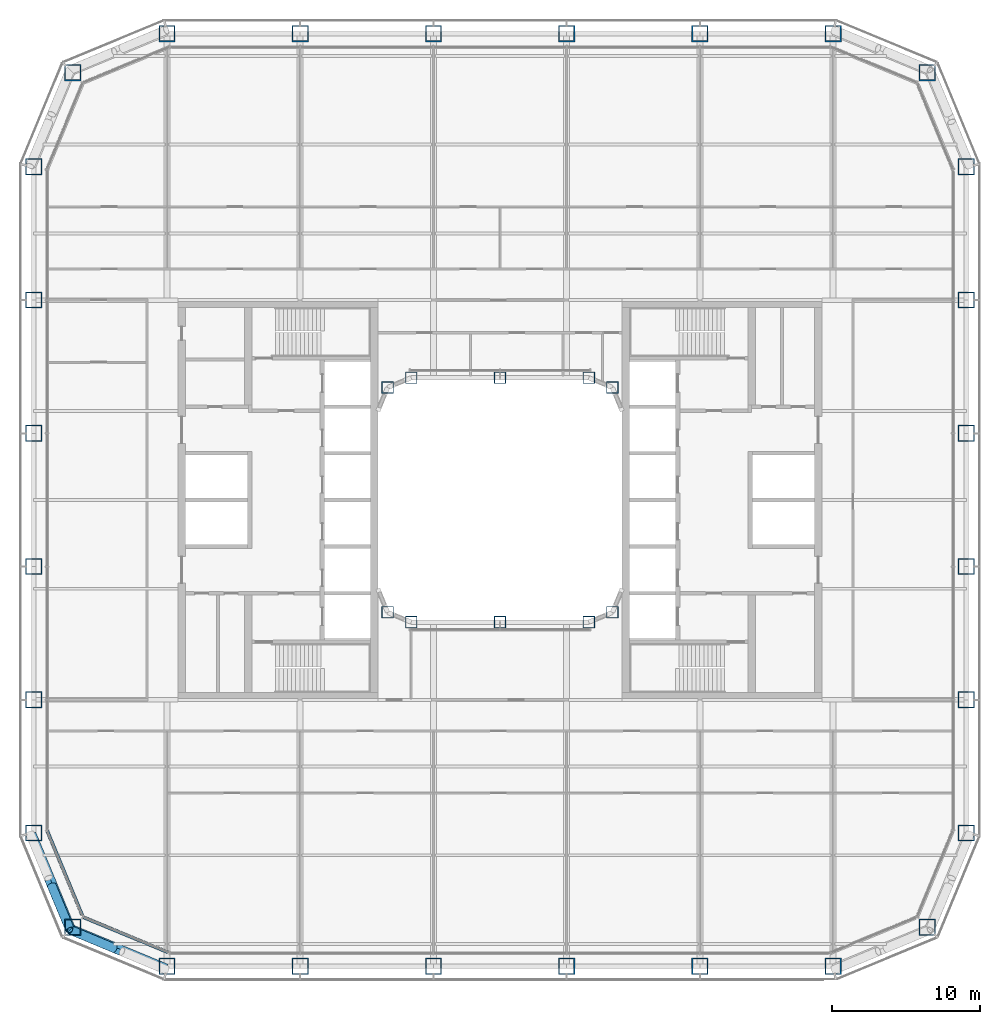
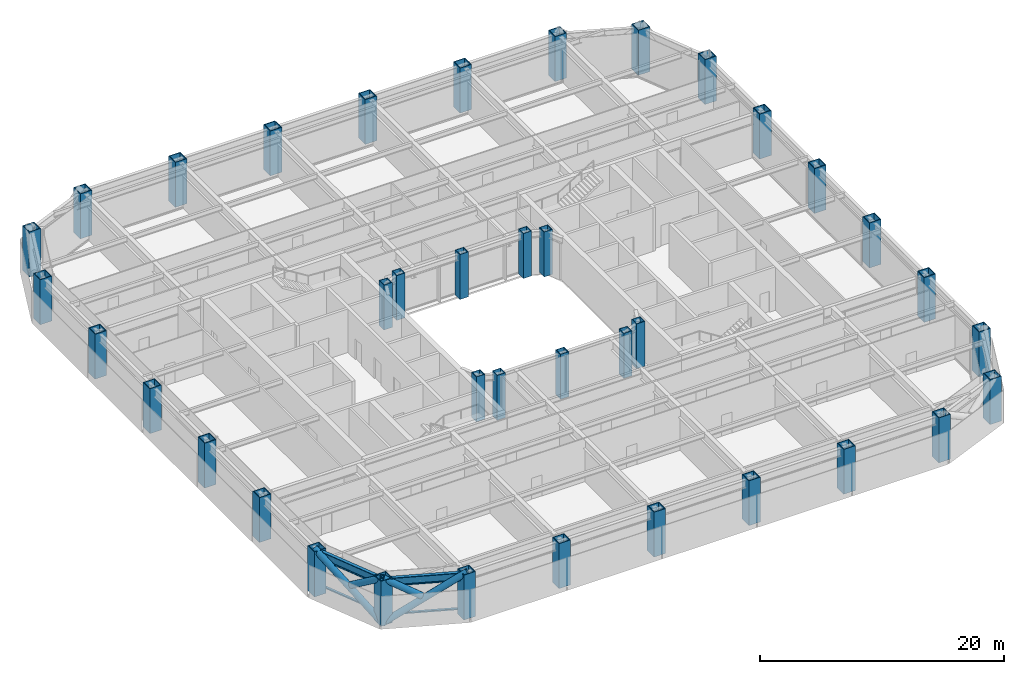
# One storey, part 1 of 24: 38 columns, 6 members, 2 beams, 2 elements without a shape of their own.
"""IFC4 building model written with IfcOpenShell, lengths in metres."""

from ifc_helpers import new_model, si_unit, direction, frame, origin, origin_2d, place, context, subcontext, project, spatial, rectangle, hollow_rectangle, hollow_circle, i_section, extrude, material, layer, layer_set, material_profile, profile_set, type_object, element, aggregate, save


model = new_model("IFC4")

# Units and contexts
model_context = context("Model", 3, precision=1e-05, world=origin(), true_north=direction((0.0, 1.0)))
body_context = subcontext(model_context, "Body", "Model", "MODEL_VIEW")
ifc_project = project(units=[si_unit("LENGTHUNIT", "METRE"), si_unit("AREAUNIT", "SQUARE_METRE"), si_unit("VOLUMEUNIT", "CUBIC_METRE"), si_unit("PLANEANGLEUNIT", "RADIAN"), si_unit("MASSUNIT", "GRAM", prefix="KILO")], contexts=[model_context])

# Site, building, storey
site_placement = place(None, origin())
site = spatial("IfcSite", under=ifc_project, at=site_placement, CompositionType="ELEMENT")
building_placement = place(site_placement, origin())
building = spatial("IfcBuilding", under=site, at=building_placement, Name="Siwar Civic Tower", CompositionType="ELEMENT")
storey_placement = place(building_placement, frame((0.0, 0.0, 22.199951171875)))
storey = spatial("IfcBuildingStorey", under=building, at=storey_placement, Name="L04", CompositionType="ELEMENT", Elevation=22.199951171875)

# Columns
ifc_material_1 = material(Name="Steel S460", Category="steel")
ifc_material_profile_1 = material_profile(ifc_material_1, hollow_rectangle(XDim=1.10009765625, YDim=1.10009765625, WallThickness=0.070068359375, at=origin_2d()), Name="BOX1100x1100x70")
ifc_profile_set_1 = profile_set([ifc_material_profile_1], Name="Steel S460")
column_type_1 = type_object("IfcColumnType", Name="STR-COL-BOX1100x1100x70", PredefinedType="COLUMN", material=ifc_profile_set_1)
for number, where, z_axis, x_axis, name in (
    (1, (-22.5, -31.5, 0.0), (0.0, 0.0, 1.0), (1.0, 0.0, 0.0), "L04/col/S-0"),
    (2, (-13.5, -31.5, 0.0), (0.0, 0.0, 1.0), (1.0, 0.0, 0.0), "L04/col/S-1"),
    (3, (-4.5, -31.5, 0.0), (0.0, 0.0, 1.0), (1.0, 0.0, 0.0), "L04/col/S-2"),
    (4, (4.5, -31.5, 0.0), (0.0, 0.0, 1.0), (1.0, 0.0, 0.0), "L04/col/S-3"),
    (5, (13.5, -31.5, 0.0), (0.0, 0.0, 1.0), (1.0, 0.0, 0.0), "L04/col/S-4"),
    (6, (22.5, -31.5, 0.0), (0.0, 0.0, 1.0), (1.0, 0.0, 0.0), "L04/col/SE1-0"),
    (7, (28.864013671875, -28.864013671875, 0.0), (0.0, 0.0, 1.0), (1.0, 0.0, 0.0), "L04/col/SE2-0"),
    (8, (31.5, -22.5, 0.0), (0.0, 0.0, 1.0), (1.0, 0.0, 0.0), "L04/col/E-0"),
    (9, (31.5, -13.5, 0.0), (0.0, 0.0, 1.0), (1.0, 0.0, 0.0), "L04/col/E-1"),
    (10, (31.5, -4.5, 0.0), (0.0, 0.0, 1.0), (1.0, 0.0, 0.0), "L04/col/E-2"),
    (11, (31.5, 4.5, 0.0), (0.0, 0.0, 1.0), (1.0, 0.0, 0.0), "L04/col/E-3"),
    (12, (31.5, 13.5, 0.0), (0.0, 0.0, 1.0), (1.0, 0.0, 0.0), "L04/col/E-4"),
    (13, (31.5, 22.5, 0.0), (0.0, 0.0, 1.0), (1.0, 0.0, 0.0), "L04/col/NE1-0"),
    (14, (28.864013671875, 28.864013671875, 0.0), (0.0, 0.0, 1.0), (1.0, 0.0, 0.0), "L04/col/NE2-0"),
    (15, (22.5, 31.5, 0.0), (0.0, 0.0, 1.0), (1.0, 0.0, 0.0), "L04/col/N-0"),
    (16, (13.5, 31.5, 0.0), (0.0, 0.0, 1.0), (1.0, 0.0, 0.0), "L04/col/N-1"),
    (17, (4.5, 31.5, 0.0), (0.0, 0.0, 1.0), (1.0, 0.0, 0.0), "L04/col/N-2"),
    (18, (-4.5, 31.5, 0.0), (0.0, 0.0, 1.0), (1.0, 0.0, 0.0), "L04/col/N-3"),
    (19, (-13.5, 31.5, 0.0), (0.0, 0.0, 1.0), (1.0, 0.0, 0.0), "L04/col/N-4"),
    (20, (-22.5, 31.5, 0.0), (0.0, 0.0, 1.0), (1.0, 0.0, 0.0), "L04/col/NW1-0"),
    (21, (-28.864013671875, 28.864013671875, 0.0), (0.0, 0.0, 1.0), (1.0, 0.0, 0.0), "L04/col/NW2-0"),
    (22, (-31.5, 22.5, 0.0), (0.0, 0.0, 1.0), (1.0, 0.0, 0.0), "L04/col/W-0"),
    (23, (-31.5, 13.5, 0.0), (0.0, 0.0, 1.0), (1.0, 0.0, 0.0), "L04/col/W-1"),
    (24, (-31.5, 4.5, 0.0), (0.0, 0.0, 1.0), (1.0, 0.0, 0.0), "L04/col/W-2"),
    (25, (-31.5, -4.5, 0.0), (0.0, 0.0, 1.0), (1.0, 0.0, 0.0), "L04/col/W-3"),
    (26, (-31.5, -13.5, 0.0), (0.0, 0.0, 1.0), (1.0, 0.0, 0.0), "L04/col/W-4"),
    (27, (-31.5, -22.5, 0.0), (0.0, 0.0, 1.0), (1.0, 0.0, 0.0), "L04/col/SW1-0"),
    (28, (-28.864013671875, -28.864013671875, 0.0), (0.0, 0.0, 1.0), (1.0, 0.0, 0.0), "L04/col/SW2-0"),
):
    element("IfcColumn", number, at=place(storey_placement, frame(where, z_axis=z_axis, x_axis=x_axis)), inside=storey, type_object=column_type_1, Name=name, PredefinedType="COLUMN", context=body_context, shape_type="SweptSolid", body=[
        extrude(hollow_rectangle(XDim=1.10009765625, YDim=1.10009765625, WallThickness=0.070068359375, at=origin_2d()), origin(), (0.0, 0.0, 1.0), 4.5),
    ])
ifc_material_2 = material(Name="Steel S355", Category="steel")
ifc_material_profile_2 = material_profile(ifc_material_2, hollow_rectangle(XDim=0.800048828125, YDim=0.800048828125, WallThickness=0.050048828125, at=origin_2d()), Name="BOX800x800x50")
ifc_profile_set_2 = profile_set([ifc_material_profile_2], Name="Steel S355")
column_type_2 = type_object("IfcColumnType", Name="STR-ICOL-BOX800x800x50", PredefinedType="COLUMN", material=ifc_profile_set_2)
for number, where, z_axis, x_axis, name in (
    (29, (-7.591064453125, -7.591064453125, 0.0), (0.0, 0.0, 1.0), (1.0, 0.0, 0.0), "L04/col/IS-0"),
    (30, (-6.0, -8.25, 0.0), (0.0, 0.0, 1.0), (1.0, 0.0, 0.0), "L04/col/IS-1"),
    (31, (0.0, -8.25, 0.0), (0.0, 0.0, 1.0), (1.0, 0.0, 0.0), "L04/col/IS-2"),
    (32, (6.0, -8.25, 0.0), (0.0, 0.0, 1.0), (1.0, 0.0, 0.0), "L04/col/IS-3"),
    (33, (7.591064453125, -7.591064453125, 0.0), (0.0, 0.0, 1.0), (1.0, 0.0, 0.0), "L04/col/IS-4"),
    (34, (-7.591064453125, 7.591064453125, 0.0), (0.0, 0.0, 1.0), (1.0, 0.0, 0.0), "L04/col/IN-0"),
    (35, (-6.0, 8.25, 0.0), (0.0, 0.0, 1.0), (1.0, 0.0, 0.0), "L04/col/IN-1"),
    (36, (0.0, 8.25, 0.0), (0.0, 0.0, 1.0), (1.0, 0.0, 0.0), "L04/col/IN-2"),
    (37, (6.0, 8.25, 0.0), (0.0, 0.0, 1.0), (1.0, 0.0, 0.0), "L04/col/IN-3"),
    (38, (7.591064453125, 7.591064453125, 0.0), (0.0, 0.0, 1.0), (1.0, 0.0, 0.0), "L04/col/IN-4"),
):
    element("IfcColumn", number, at=place(storey_placement, frame(where, z_axis=z_axis, x_axis=x_axis)), inside=storey, type_object=column_type_2, Name=name, PredefinedType="COLUMN", context=body_context, shape_type="SweptSolid", body=[
        extrude(hollow_rectangle(XDim=0.800048828125, YDim=0.800048828125, WallThickness=0.050048828125, at=origin_2d()), origin(), (0.0, 0.0, 1.0), 4.5),
    ])

# Curtain wall, member
ifc_material_3 = material(Name="Aluminium clad insulated panel", Category="aluminium")
ifc_layer = layer(ifc_material_3, 0.219970703125)
ifc_layer_set = layer_set([ifc_layer], Name="Aluminium clad insulated panel")
curtain_wall_type = type_object("IfcCurtainWallType", Name="ENV-CW-AX", PredefinedType="NOTDEFINED", material=ifc_layer_set)
curtain_wall_1_placement = place(storey_placement, origin())
curtain_wall_1 = element("IfcCurtainWall", 39, at=curtain_wall_1_placement, inside=storey, type_object=curtain_wall_type, Name="Curtain wall A SW1", PredefinedType="NOTDEFINED")
ifc_material_4 = material(Name="Aluminium 6063-T6", Category="aluminium")
ifc_material_profile_3 = material_profile(ifc_material_4, rectangle(XDim=0.219970703125, YDim=0.1201171875, at=origin_2d()), Name="AL 220x120")
ifc_profile_set_3 = profile_set([ifc_material_profile_3], Name="Aluminium 6063-T6")
member_type_1 = type_object("IfcMemberType", Name="ENV-TRANSOM-A", PredefinedType="USERDEFINED", material=ifc_profile_set_3)
member_1_placement = place(storey_placement, frame((-30.586669921875, -22.353271484375, 0.06005859375), z_axis=(0.382698415042, -0.923873326341, 0.0), x_axis=(0.923873326341, 0.382698415042, 0.0)))
member_1 = element("IfcMember", 40, at=member_1_placement, type_object=member_type_1, Name="Transom A SW1 1", ObjectType="TRANSOM", PredefinedType="USERDEFINED", context=body_context, shape_type="SweptSolid", body=[
    extrude(rectangle(XDim=0.219970703125, YDim=0.1201171875, at=origin_2d()), origin(), (0.0, 0.0, 1.0), 6.17919921875),
])
aggregate(curtain_wall_1, [member_1])

curtain_wall_2_placement = place(storey_placement, origin())
curtain_wall_2 = element("IfcCurtainWall", 41, at=curtain_wall_2_placement, inside=storey, type_object=curtain_wall_type, Name="Curtain wall A SW2", PredefinedType="NOTDEFINED")
member_2_placement = place(storey_placement, frame((-28.142822265625, -28.1884765625, 0.06005859375), z_axis=(0.923873326341, -0.382698415042, 0.0), x_axis=(0.382698415042, 0.923873326341, 0.0)))
member_2 = element("IfcMember", 42, at=member_2_placement, type_object=member_type_1, Name="Transom A SW2 1", ObjectType="TRANSOM", PredefinedType="USERDEFINED", context=body_context, shape_type="SweptSolid", body=[
    extrude(rectangle(XDim=0.219970703125, YDim=0.1201171875, at=origin_2d()), origin(), (0.0, 0.0, 1.0), 6.17919921875),
])
aggregate(curtain_wall_2, [member_2])

# Members
ifc_material_5 = material(Name="Steel S355", Category="steel")
ifc_material_profile_4 = material_profile(ifc_material_5, hollow_circle(Radius=0.304931640625, WallThickness=0.030029296875, at=origin_2d()), Name="CHS610x30")
ifc_profile_set_4 = profile_set([ifc_material_profile_4], Name="Steel S355")
member_type_2 = type_object("IfcMemberType", Name="STR-BR-CHS610x30", PredefinedType="BRACE", material=ifc_profile_set_4)
member_3_placement = place(storey_placement, frame((-29.040771484375, -29.040771484375, 0.0), z_axis=(0.777554562952, -0.323905527954, 0.538975055633), x_axis=(0.384538969033, 0.923108759191, 0.0)))
element("IfcMember", 43, at=member_3_placement, inside=storey, type_object=member_type_2, Name="L04/brc/ASW1-3-0-1", PredefinedType="BRACE", context=body_context, shape_type="SweptSolid", body=[
    extrude(hollow_circle(Radius=0.304931640625, WallThickness=0.030029296875, at=origin_2d()), origin(), (0.0, 0.0, 1.0), 8.34912109375),
])
member_4_placement = place(storey_placement, frame((-26.052001953125, -30.285888671875, 2.428466796875), z_axis=(-0.777568797048, 0.323934068367, 0.538937366685), x_axis=(-0.384561842466, -0.923099230484, 0.0)))
element("IfcMember", 44, at=member_4_placement, inside=storey, type_object=member_type_2, Name="L04/brc/ASW1-3-0-3", PredefinedType="BRACE", context=body_context, shape_type="SweptSolid", body=[
    extrude(hollow_circle(Radius=0.304931640625, WallThickness=0.030029296875, at=origin_2d()), origin(), (0.0, 0.0, 1.0), 3.84375),
])
member_5_placement = place(storey_placement, frame((-29.040771484375, -29.040771484375, 0.0), z_axis=(-0.323905527954, 0.777554562952, 0.538975055633), x_axis=(-0.923108759191, -0.384538969033, 0.0)))
element("IfcMember", 45, at=member_5_placement, inside=storey, type_object=member_type_2, Name="L04/brc/ASW1-3-0-0", PredefinedType="BRACE", context=body_context, shape_type="SweptSolid", body=[
    extrude(hollow_circle(Radius=0.304931640625, WallThickness=0.030029296875, at=origin_2d()), origin(), (0.0, 0.0, 1.0), 8.34912109375),
])
member_6_placement = place(storey_placement, frame((-30.285888671875, -26.052001953125, 2.428466796875), z_axis=(0.323934068367, -0.777568797048, 0.538937366685), x_axis=(0.923099230484, 0.384561842466, 0.0)))
element("IfcMember", 46, at=member_6_placement, inside=storey, type_object=member_type_2, Name="L04/brc/ASW1-3-0-5", PredefinedType="BRACE", context=body_context, shape_type="SweptSolid", body=[
    extrude(hollow_circle(Radius=0.304931640625, WallThickness=0.030029296875, at=origin_2d()), origin(), (0.0, 0.0, 1.0), 3.84375),
])

# Beams
ifc_material_6 = material(Name="Steel S355", Category="steel")
ifc_material_profile_5 = material_profile(ifc_material_6, i_section(OverallWidth=0.302978515625, OverallDepth=0.81396484375, WebThickness=0.02099609375, FlangeThickness=0.0400390625, FilletRadius=0.030029296875, at=origin_2d()), Name="HEM800")
ifc_profile_set_5 = profile_set([ifc_material_profile_5], Name="Steel S355")
beam_type = type_object("IfcBeamType", Name="STR-SB-HEM800", PredefinedType="BEAM", material=ifc_profile_set_5)
for number, where, z_axis, x_axis, name in (
    (47, (-31.5, -22.5, 3.943115234375), (0.382674207535, -0.923883353507, 0.0), (0.923883353507, 0.382674207535, 0.0), "L04/bm/SSW1-0"),
    (48, (-28.864013671875, -28.864013671875, 3.943115234375), (0.923883353507, -0.382674207535, 0.0), (0.382674207535, 0.923883353507, 0.0), "L04/bm/SSW2-0"),
):
    element("IfcBeam", number, at=place(storey_placement, frame(where, z_axis=z_axis, x_axis=x_axis)), inside=storey, type_object=beam_type, Name=name, PredefinedType="BEAM", context=body_context, shape_type="SweptSolid", body=[
        extrude(i_section(OverallWidth=0.302978515625, OverallDepth=0.81396484375, WebThickness=0.02099609375, FlangeThickness=0.0400390625, FilletRadius=0.030029296875, at=origin_2d()), origin(), (0.0, 0.0, 1.0), 6.888427734375),
    ])

save(model, "model.ifc")
